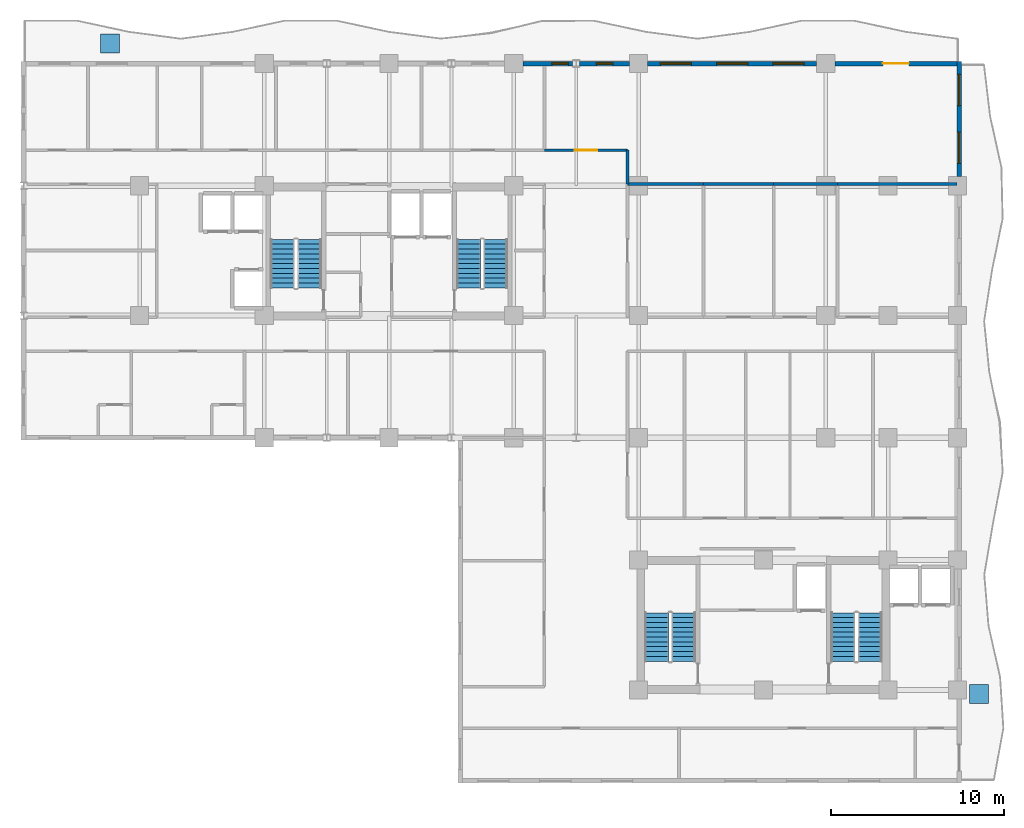
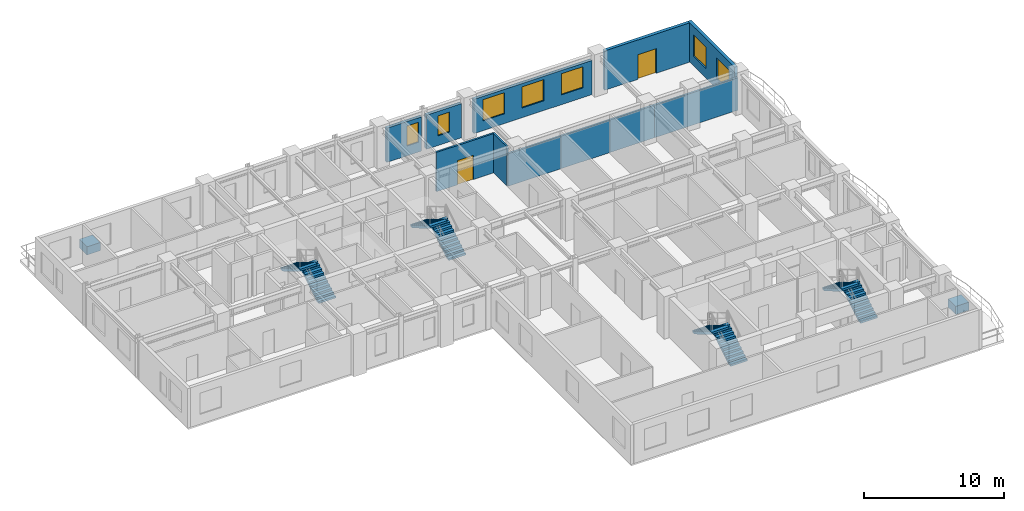
# One storey, part 9 of 12: 11 walls, 8 stair flights, 7 windows, 2 discrete accessories, 2 doors, 9 openings, 4 elements without a shape of their own.
"""IFC4 building model written with IfcOpenShell, lengths in metres."""

from ifc_helpers import new_model, si_unit, direction, frame, frame_2d, origin, origin_2d, place, context, subcontext, project, spatial, polyline, rectangle, outline, extrude, source, transform, mapped, material, layer, layer_set, type_object, element, fill, aggregate, save


model = new_model("IFC4")

# Units and contexts
model_context = context("Model", 3, precision=1e-05, world=origin(), true_north=direction((0.0, 1.0)))
body_context = subcontext(model_context, "Body", "Model", "MODEL_VIEW")
ifc_project = project(units=[si_unit("LENGTHUNIT", "METRE"), si_unit("AREAUNIT", "SQUARE_METRE"), si_unit("VOLUMEUNIT", "CUBIC_METRE"), si_unit("PLANEANGLEUNIT", "RADIAN"), si_unit("MASSUNIT", "GRAM", prefix="KILO")], contexts=[model_context])

# Site, building, storey
site_placement = place(None, origin())
site = spatial("IfcSite", under=ifc_project, at=site_placement, CompositionType="ELEMENT")
building_placement = place(site_placement, origin())
building = spatial("IfcBuilding", under=site, at=building_placement, Name="Kaliganga Portal Commons", CompositionType="ELEMENT")
storey_placement = place(building_placement, frame((0.0, 0.0, 147.60009765625)))
storey = spatial("IfcBuildingStorey", under=building, at=storey_placement, Name="L37", CompositionType="ELEMENT", Elevation=147.60009765625)

# Wall, openings, windows
ifc_material_1 = material(Name="Insulated Aluminium-Clad Spandrel Assembly", Category="aluminium")
ifc_layer_1 = layer(ifc_material_1, 0.260009765625)
ifc_layer_set_1 = layer_set([ifc_layer_1], Name="Insulated Aluminium-Clad Spandrel Assembly")
wall_type_1 = type_object("IfcWallType", Name="WL-EXT-SPAND-260", PredefinedType="STANDARD", material=ifc_layer_set_1)
wall_1_placement = place(storey_placement, frame((54.5, 43.330078125, 0.0), z_axis=(0.0, 0.0, 1.0), x_axis=(0.0, -1.0, 0.0)))
wall_1 = element("IfcWall", 1, at=wall_1_placement, inside=storey, type_object=wall_type_1, Name="Exterior Envelope Wall L37 P1-E01-S6", PredefinedType="STANDARD", context=body_context, shape_type="SweptSolid", body=[
    extrude(rectangle(XDim=6.654052734375, YDim=0.260009765625, at=frame_2d((3.3271484375, 0.0))), origin(), (0.0, 0.0, 1.0), 3.43994140625),
])
opening_1_placement = place(wall_1_placement, frame((0.763427734375, 0.0, 0.85009765625)))
opening_1 = element("IfcOpeningElement", 2, at=opening_1_placement, cuts=wall_1, Name="Opening W-01", PredefinedType="OPENING", context=body_context, shape_type="SweptSolid", body=[
    extrude(rectangle(XDim=1.800048828125, YDim=1.85009765625, at=frame_2d((0.89990234375, 0.925048828125))), frame((0.0, 0.14013671875, 0.0), z_axis=(0.0, -1.0, 0.0), x_axis=(1.0, 0.0, 0.0)), (0.0, 0.0, 1.0), 0.280029296875),
])
opening_2_placement = place(wall_1_placement, frame((4.090576171875, 0.0, 0.85009765625)))
opening_2 = element("IfcOpeningElement", 3, at=opening_2_placement, cuts=wall_1, Name="Opening W-01", PredefinedType="OPENING", context=body_context, shape_type="SweptSolid", body=[
    extrude(rectangle(XDim=1.800048828125, YDim=1.85009765625, at=frame_2d((0.89990234375, 0.925048828125))), frame((0.0, 0.14013671875, 0.0), z_axis=(0.0, -1.0, 0.0), x_axis=(1.0, 0.0, 0.0)), (0.0, 0.0, 1.0), 0.280029296875),
])
ifc_material_2 = material(Name="Thermally Broken Aluminium and Low-E Double Glazing", Category="aluminium")
window_type_1 = type_object("IfcWindowType", Name="WIN-STD-1800", PartitioningType="DOUBLE_PANEL_VERTICAL", PredefinedType="WINDOW", material=ifc_material_2)
window_1_placement = place(opening_1_placement, origin())
window_1 = element("IfcWindow", 4, at=window_1_placement, inside=storey, type_object=window_type_1, Name="Facade Window L37-P1E01S6-00", OverallHeight=1.85009765625, OverallWidth=1.800048828125, PartitioningType="SINGLE_PANEL", PredefinedType="WINDOW", context=body_context, shape_type="SweptSolid", body=[
    extrude(rectangle(XDim=1.800048828125, YDim=1.85009765625, at=frame_2d((0.89990234375, 0.925048828125))), frame((0.0, 0.030029296875, 0.0), z_axis=(0.0, -1.0, 0.0), x_axis=(1.0, 0.0, 0.0)), (0.0, 0.0, 1.0), 0.06005859375),
])
fill(opening_1, window_1)
window_2_placement = place(opening_2_placement, origin())
window_2 = element("IfcWindow", 5, at=window_2_placement, inside=storey, type_object=window_type_1, Name="Facade Window L37-P1E01S6-01", OverallHeight=1.85009765625, OverallWidth=1.800048828125, PartitioningType="SINGLE_PANEL", PredefinedType="WINDOW", context=body_context, shape_type="SweptSolid", body=[
    extrude(rectangle(XDim=1.800048828125, YDim=1.85009765625, at=frame_2d((0.89990234375, 0.925048828125))), frame((0.0, 0.030029296875, 0.0), z_axis=(0.0, -1.0, 0.0), x_axis=(1.0, 0.0, 0.0)), (0.0, 0.0, 1.0), 0.06005859375),
])
fill(opening_2, window_2)

# Wall, opening, door
wall_2_placement = place(storey_placement, frame((47.325927734375, 43.199951171875, 0.0), z_axis=(0.0, 0.0, 1.0), x_axis=(1.0, 0.0, 0.0)))
wall_2 = element("IfcWall", 6, at=wall_2_placement, inside=storey, type_object=wall_type_1, Name="Exterior Envelope Wall L37 P1-E02-S1", PredefinedType="STANDARD", context=body_context, shape_type="SweptSolid", body=[
    extrude(rectangle(XDim=7.0390625, YDim=0.260009765625, at=frame_2d((3.51953125, 0.0))), origin(), (0.0, 0.0, 1.0), 3.43994140625),
])
opening_3_placement = place(wall_2_placement, frame((2.77001953125, 0.0, 0.0)))
opening_3 = element("IfcOpeningElement", 7, at=opening_3_placement, cuts=wall_2, Name="Opening BD-01", PredefinedType="OPENING", context=body_context, shape_type="SweptSolid", body=[
    extrude(rectangle(XDim=1.5, YDim=2.14990234375, at=frame_2d((0.75, 1.074951171875))), frame((0.0, 0.14013671875, 0.0), z_axis=(0.0, -1.0, 0.0), x_axis=(1.0, 0.0, 0.0)), (0.0, 0.0, 1.0), 0.280029296875),
])
ifc_material_3 = material(Name="Anodized Aluminium and Laminated Safety Glass", Category="aluminium")
door_type_1 = type_object("IfcDoorType", Name="DR-BALC-1500", OperationType="SLIDING_TO_LEFT", PredefinedType="DOOR", material=ifc_material_3)
door_1_placement = place(opening_3_placement, origin())
door_1 = element("IfcDoor", 8, at=door_1_placement, inside=storey, type_object=door_type_1, Name="Balcony Sliding Door L37 balc_north", OperationType="SLIDING_TO_LEFT", OverallHeight=2.14990234375, OverallWidth=1.5, PredefinedType="DOOR", context=body_context, shape_type="SweptSolid", body=[
    extrude(rectangle(XDim=1.5, YDim=2.14990234375, at=frame_2d((0.75, 1.074951171875))), frame((0.0, 0.02490234375, 0.0), z_axis=(0.0, -1.0, 0.0), x_axis=(1.0, 0.0, 0.0)), (0.0, 0.0, 1.0), 0.050048828125),
])
fill(opening_3, door_1)

# Wall, openings, windows
wall_3_placement = place(storey_placement, frame((36.52587890625, 43.199951171875, 0.0), z_axis=(0.0, 0.0, 1.0), x_axis=(1.0, 0.0, 0.0)))
wall_3 = element("IfcWall", 9, at=wall_3_placement, inside=storey, type_object=wall_type_1, Name="Exterior Envelope Wall L37 P1-E02-S2", PredefinedType="STANDARD", context=body_context, shape_type="SweptSolid", body=[
    extrude(rectangle(XDim=9.748046875, YDim=0.260009765625, at=frame_2d((4.8740234375, 0.0))), origin(), (0.0, 0.0, 1.0), 2.989990234375),
])
opening_4_placement = place(wall_3_placement, frame((0.724609375, 0.0, 0.85009765625)))
opening_4 = element("IfcOpeningElement", 10, at=opening_4_placement, cuts=wall_3, Name="Opening W-01", PredefinedType="OPENING", context=body_context, shape_type="SweptSolid", body=[
    extrude(rectangle(XDim=1.800048828125, YDim=1.85009765625, at=frame_2d((0.89990234375, 0.925048828125))), frame((0.0, 0.14013671875, 0.0), z_axis=(0.0, -1.0, 0.0), x_axis=(1.0, 0.0, 0.0)), (0.0, 0.0, 1.0), 0.280029296875),
])
opening_5_placement = place(wall_3_placement, frame((3.97412109375, 0.0, 0.85009765625)))
opening_5 = element("IfcOpeningElement", 11, at=opening_5_placement, cuts=wall_3, Name="Opening W-01", PredefinedType="OPENING", context=body_context, shape_type="SweptSolid", body=[
    extrude(rectangle(XDim=1.800048828125, YDim=1.85009765625, at=frame_2d((0.89990234375, 0.925048828125))), frame((0.0, 0.14013671875, 0.0), z_axis=(0.0, -1.0, 0.0), x_axis=(1.0, 0.0, 0.0)), (0.0, 0.0, 1.0), 0.280029296875),
])
opening_6_placement = place(wall_3_placement, frame((7.223388671875, 0.0, 0.85009765625)))
opening_6 = element("IfcOpeningElement", 12, at=opening_6_placement, cuts=wall_3, Name="Opening W-01", PredefinedType="OPENING", context=body_context, shape_type="SweptSolid", body=[
    extrude(rectangle(XDim=1.800048828125, YDim=1.85009765625, at=frame_2d((0.89990234375, 0.925048828125))), frame((0.0, 0.14013671875, 0.0), z_axis=(0.0, -1.0, 0.0), x_axis=(1.0, 0.0, 0.0)), (0.0, 0.0, 1.0), 0.280029296875),
])
window_3_placement = place(opening_4_placement, origin())
window_3 = element("IfcWindow", 13, at=window_3_placement, inside=storey, type_object=window_type_1, Name="Facade Window L37-P1E02S2-00", OverallHeight=1.85009765625, OverallWidth=1.800048828125, PartitioningType="SINGLE_PANEL", PredefinedType="WINDOW", context=body_context, shape_type="SweptSolid", body=[
    extrude(rectangle(XDim=1.800048828125, YDim=1.85009765625, at=frame_2d((0.89990234375, 0.925048828125))), frame((0.0, 0.030029296875, 0.0), z_axis=(0.0, -1.0, 0.0), x_axis=(1.0, 0.0, 0.0)), (0.0, 0.0, 1.0), 0.06005859375),
])
fill(opening_4, window_3)
window_4_placement = place(opening_5_placement, origin())
window_4 = element("IfcWindow", 14, at=window_4_placement, inside=storey, type_object=window_type_1, Name="Facade Window L37-P1E02S2-01", OverallHeight=1.85009765625, OverallWidth=1.800048828125, PartitioningType="SINGLE_PANEL", PredefinedType="WINDOW", context=body_context, shape_type="SweptSolid", body=[
    extrude(rectangle(XDim=1.800048828125, YDim=1.85009765625, at=frame_2d((0.89990234375, 0.925048828125))), frame((0.0, 0.030029296875, 0.0), z_axis=(0.0, -1.0, 0.0), x_axis=(1.0, 0.0, 0.0)), (0.0, 0.0, 1.0), 0.06005859375),
])
fill(opening_5, window_4)
window_5_placement = place(opening_6_placement, origin())
window_5 = element("IfcWindow", 15, at=window_5_placement, inside=storey, type_object=window_type_1, Name="Facade Window L37-P1E02S2-02", OverallHeight=1.85009765625, OverallWidth=1.800048828125, PartitioningType="SINGLE_PANEL", PredefinedType="WINDOW", context=body_context, shape_type="SweptSolid", body=[
    extrude(rectangle(XDim=1.800048828125, YDim=1.85009765625, at=frame_2d((0.89990234375, 0.925048828125))), frame((0.0, 0.030029296875, 0.0), z_axis=(0.0, -1.0, 0.0), x_axis=(1.0, 0.0, 0.0)), (0.0, 0.0, 1.0), 0.06005859375),
])
fill(opening_6, window_5)

# Wall, opening, window
wall_4_placement = place(storey_placement, frame((32.60302734375, 43.199951171875, 0.0), z_axis=(0.0, 0.0, 1.0), x_axis=(1.0, 0.0, 0.0)))
wall_4 = element("IfcWall", 16, at=wall_4_placement, inside=storey, type_object=wall_type_1, Name="Exterior Envelope Wall L37 P1-E02-S3", PredefinedType="STANDARD", context=body_context, shape_type="SweptSolid", body=[
    extrude(rectangle(XDim=2.87109375, YDim=0.260009765625, at=frame_2d((1.435546875, 0.0))), origin(), (0.0, 0.0, 1.0), 2.989990234375),
])
opening_7_placement = place(wall_4_placement, frame((0.96044921875, 0.0, 0.85009765625)))
opening_7 = element("IfcOpeningElement", 17, at=opening_7_placement, cuts=wall_4, Name="Opening W-04", PredefinedType="OPENING", context=body_context, shape_type="SweptSolid", body=[
    extrude(rectangle(XDim=0.949951171875, YDim=1.75, at=frame_2d((0.47509765625, 0.875))), frame((0.0, 0.14013671875, 0.0), z_axis=(0.0, -1.0, 0.0), x_axis=(1.0, 0.0, 0.0)), (0.0, 0.0, 1.0), 0.280029296875),
])
window_type_2 = type_object("IfcWindowType", Name="WIN-NARROW-950", PartitioningType="SINGLE_PANEL", PredefinedType="WINDOW", material=ifc_material_2)
window_6_placement = place(opening_7_placement, origin())
window_6 = element("IfcWindow", 18, at=window_6_placement, inside=storey, type_object=window_type_2, Name="Facade Window L37-P1E02S3-00", OverallHeight=1.75, OverallWidth=0.949951171875, PartitioningType="SINGLE_PANEL", PredefinedType="WINDOW", context=body_context, shape_type="SweptSolid", body=[
    extrude(rectangle(XDim=0.949951171875, YDim=1.75, at=frame_2d((0.47509765625, 0.875))), frame((0.0, 0.030029296875, 0.0), z_axis=(0.0, -1.0, 0.0), x_axis=(1.0, 0.0, 0.0)), (0.0, 0.0, 1.0), 0.06005859375),
])
fill(opening_7, window_6)

wall_5_placement = place(storey_placement, frame((29.325927734375, 43.199951171875, 0.0), z_axis=(0.0, 0.0, 1.0), x_axis=(1.0, 0.0, 0.0)))
wall_5 = element("IfcWall", 19, at=wall_5_placement, inside=storey, type_object=wall_type_1, Name="Exterior Envelope Wall L37 P1-E02-S4", PredefinedType="STANDARD", context=body_context, shape_type="SweptSolid", body=[
    extrude(rectangle(XDim=2.87109375, YDim=0.260009765625, at=frame_2d((1.435546875, 0.0))), origin(), (0.0, 0.0, 1.0), 2.989990234375),
])
opening_8_placement = place(wall_5_placement, frame((1.672607421875, 0.0, 0.85009765625)))
opening_8 = element("IfcOpeningElement", 20, at=opening_8_placement, cuts=wall_5, Name="Opening W-04", PredefinedType="OPENING", context=body_context, shape_type="SweptSolid", body=[
    extrude(rectangle(XDim=0.949951171875, YDim=1.75, at=frame_2d((0.47509765625, 0.875))), frame((0.0, 0.14013671875, 0.0), z_axis=(0.0, -1.0, 0.0), x_axis=(1.0, 0.0, 0.0)), (0.0, 0.0, 1.0), 0.280029296875),
])
window_7_placement = place(opening_8_placement, origin())
window_7 = element("IfcWindow", 21, at=window_7_placement, inside=storey, type_object=window_type_2, Name="Facade Window L37-P1E02S4-N2", OverallHeight=1.75, OverallWidth=0.949951171875, PartitioningType="SINGLE_PANEL", PredefinedType="WINDOW", context=body_context, shape_type="SweptSolid", body=[
    extrude(rectangle(XDim=0.949951171875, YDim=1.75, at=frame_2d((0.47509765625, 0.875))), frame((0.0, 0.030029296875, 0.0), z_axis=(0.0, -1.0, 0.0), x_axis=(1.0, 0.0, 0.0)), (0.0, 0.0, 1.0), 0.06005859375),
])
fill(opening_8, window_7)

# Wall, opening, door
ifc_material_4 = material(Name="Fire-Rated Gypsum Board on Steel Stud", Category="steel")
ifc_layer_2 = layer(ifc_material_4, 0.14990234375)
ifc_layer_set_2 = layer_set([ifc_layer_2], Name="Fire-Rated Gypsum Board on Steel Stud")
wall_type_2 = type_object("IfcWallType", Name="WL-PART-CORR-150", PredefinedType="PARTITIONING", material=ifc_layer_set_2)
wall_6_placement = place(storey_placement, frame((30.56005859375, 38.199951171875, 0.0), z_axis=(0.0, 0.0, 1.0), x_axis=(1.0, 0.0, 0.0)))
wall_6 = element("IfcWall", 22, at=wall_6_placement, inside=storey, type_object=wall_type_2, Name="Interior Partition L37-031", PredefinedType="PARTITIONING", context=body_context, shape_type="SweptSolid", body=[
    extrude(rectangle(XDim=4.800048828125, YDim=0.14990234375, at=frame_2d((2.39990234375, 0.0))), origin(), (0.0, 0.0, 1.0), 3.43994140625),
])
opening_9_placement = place(wall_6_placement, frame((1.75, 0.0, 0.0)))
opening_9 = element("IfcOpeningElement", 23, at=opening_9_placement, cuts=wall_6, Name="Opening RD-03", PredefinedType="OPENING", context=body_context, shape_type="SweptSolid", body=[
    extrude(rectangle(XDim=1.300048828125, YDim=2.1201171875, at=frame_2d((0.64990234375, 1.06005859375))), frame((0.0, 0.0849609375, 0.0), z_axis=(0.0, -1.0, 0.0), x_axis=(1.0, 0.0, 0.0)), (0.0, 0.0, 1.0), 0.169921875),
])
ifc_material_5 = material(Name="Glazed Timber Seminar Vision Door", Category="wood")
door_type_2 = type_object("IfcDoorType", Name="DR-STUDY-1300", OperationType="DOUBLE_DOOR_SINGLE_SWING", PredefinedType="DOOR", material=ifc_material_5)
door_2_placement = place(opening_9_placement, origin())
door_2 = element("IfcDoor", 24, at=door_2_placement, inside=storey, type_object=door_type_2, Name="Interior Door L37-ANE01", OperationType="DOUBLE_DOOR_SINGLE_SWING", OverallHeight=2.1201171875, OverallWidth=1.300048828125, PredefinedType="DOOR", context=body_context, shape_type="SweptSolid", body=[
    extrude(rectangle(XDim=1.300048828125, YDim=2.1201171875, at=frame_2d((0.64990234375, 1.06005859375))), frame((0.0, 0.02490234375, 0.0), z_axis=(0.0, -1.0, 0.0), x_axis=(1.0, 0.0, 0.0)), (0.0, 0.0, 1.0), 0.050048828125),
])
fill(opening_9, door_2)

# Walls
wall_7_placement = place(storey_placement, frame((35.360107421875, 36.239990234375, 0.0), z_axis=(0.0, 0.0, 1.0), x_axis=(0.0, 1.0, 0.0)))
element("IfcWall", 25, at=wall_7_placement, inside=storey, type_object=wall_type_2, Name="Interior Partition L37-057", PredefinedType="PARTITIONING", context=body_context, shape_type="SweptSolid", body=[
    extrude(rectangle(XDim=1.9599609375, YDim=0.14990234375, at=frame_2d((0.97998046875, 0.0))), origin(), (0.0, 0.0, 1.0), 3.43994140625),
])
ifc_material_6 = material(Name="Twin-Stud Acoustic Gypsum Partition", Category="gypsum")
ifc_layer_3 = layer(ifc_material_6, 0.1650390625)
ifc_layer_set_3 = layer_set([ifc_layer_3], Name="Twin-Stud Acoustic Gypsum Partition")
wall_type_3 = type_object("IfcWallType", Name="WL-PART-UNIT-165", PredefinedType="PARTITIONING", material=ifc_layer_set_3)
wall_8_placement = place(storey_placement, frame((47.47998046875, 36.239990234375, 0.0), z_axis=(0.0, 0.0, 1.0), x_axis=(1.0, 0.0, 0.0)))
element("IfcWall", 26, at=wall_8_placement, inside=storey, type_object=wall_type_3, Name="Interior Partition L37-069", PredefinedType="PARTITIONING", context=body_context, shape_type="SweptSolid", body=[
    extrude(rectangle(XDim=6.887939453125, YDim=0.1650390625, at=frame_2d((3.44384765625, 0.0))), origin(), (0.0, 0.0, 1.0), 2.83984375),
])
wall_9_placement = place(storey_placement, frame((35.360107421875, 36.239990234375, 0.0), z_axis=(0.0, 0.0, 1.0), x_axis=(1.0, 0.0, 0.0)))
element("IfcWall", 27, at=wall_9_placement, inside=storey, type_object=wall_type_3, Name="Interior Partition L37-080", PredefinedType="PARTITIONING", context=body_context, shape_type="SweptSolid", body=[
    extrude(rectangle(XDim=4.3798828125, YDim=0.1650390625, at=frame_2d((2.18994140625, 0.0))), origin(), (0.0, 0.0, 1.0), 2.83984375),
])
wall_10_placement = place(storey_placement, frame((39.739990234375, 36.239990234375, 0.0), z_axis=(0.0, 0.0, 1.0), x_axis=(1.0, 0.0, 0.0)))
element("IfcWall", 28, at=wall_10_placement, inside=storey, type_object=wall_type_3, Name="Interior Partition L37-081", PredefinedType="PARTITIONING", context=body_context, shape_type="SweptSolid", body=[
    extrude(rectangle(XDim=4.06005859375, YDim=0.1650390625, at=frame_2d((2.030029296875, 0.0))), origin(), (0.0, 0.0, 1.0), 2.83984375),
])
wall_11_placement = place(storey_placement, frame((43.800048828125, 36.239990234375, 0.0), z_axis=(0.0, 0.0, 1.0), x_axis=(1.0, 0.0, 0.0)))
element("IfcWall", 29, at=wall_11_placement, inside=storey, type_object=wall_type_3, Name="Interior Partition L37-082", PredefinedType="PARTITIONING", context=body_context, shape_type="SweptSolid", body=[
    extrude(rectangle(XDim=3.679931640625, YDim=0.1650390625, at=frame_2d((1.83984375, 0.0))), origin(), (0.0, 0.0, 1.0), 2.83984375),
])

# Stair, stair flights
ifc_material_7 = material(Name="Concrete C40/50", Category="concrete")
stair_type = type_object("IfcStairType", Name="ST-CORE-DOGLEG", PredefinedType="HALF_TURN_STAIR", material=ifc_material_7)
stair_1_placement = place(storey_placement, origin())
stair_1 = element("IfcStair", 30, at=stair_1_placement, inside=storey, type_object=stair_type, Name="L37 Protected Exit Stair ST-A1", PredefinedType="HALF_TURN_STAIR")
stair_flight_type = type_object("IfcStairFlightType", Name="STF-RC-1400", PredefinedType="STRAIGHT", material=ifc_material_7)
stair_flight_1_placement = place(storey_placement, frame((17.0, 30.25, 0.0), z_axis=(0.0, 0.0, 1.0), x_axis=(0.0, 1.0, 0.0)))
stair_flight_1 = element("IfcStairFlight", 31, at=stair_flight_1_placement, type_object=stair_flight_type, Name="ST-A1 flight 1", NumberOfRisers=11, NumberOfTreads=10, PredefinedType="STRAIGHT", RiserHeight=0.168181818, TreadLength=0.28, context=body_context, shape_type="SweptSolid", body=[
    extrude(outline(polyline([(0.0, 0.0), (0.0, 0.168212890625), (0.280029296875, 0.168212890625), (0.280029296875, 0.33642578125), (0.56005859375, 0.33642578125), (0.56005859375, 0.504638671875), (0.840087890625, 0.504638671875), (0.840087890625, 0.672607421875), (1.1201171875, 0.672607421875), (1.1201171875, 0.8408203125), (1.39990234375, 0.8408203125), (1.39990234375, 1.009033203125), (1.679931640625, 1.009033203125), (1.679931640625, 1.17724609375), (1.9599609375, 1.17724609375), (1.9599609375, 1.345458984375), (2.239990234375, 1.345458984375), (2.239990234375, 1.513671875), (2.52001953125, 1.513671875), (2.52001953125, 1.681884765625), (2.800048828125, 1.681884765625), (2.800048828125, 1.85009765625), (2.800048828125, 1.5068359375), (0.291015625, 0.0), (0.0, 0.0)])), frame((0.0, 0.699951171875, 0.0), z_axis=(0.0, -1.0, 0.0), x_axis=(1.0, 0.0, 0.0)), (0.0, 0.0, 1.0), 1.39990234375),
])
stair_flight_2_placement = place(storey_placement, frame((15.449951171875, 33.050048828125, 1.849853515625), z_axis=(0.0, 0.0, 1.0), x_axis=(0.0, -1.0, 0.0)))
stair_flight_2 = element("IfcStairFlight", 32, at=stair_flight_2_placement, type_object=stair_flight_type, Name="ST-A1 flight 2", NumberOfRisers=11, NumberOfTreads=10, PredefinedType="STRAIGHT", RiserHeight=0.168181818, TreadLength=0.28, context=body_context, shape_type="SweptSolid", body=[
    extrude(outline(polyline([(0.0, 0.0), (0.0, 0.168212890625), (0.280029296875, 0.168212890625), (0.280029296875, 0.33642578125), (0.56005859375, 0.33642578125), (0.56005859375, 0.504638671875), (0.840087890625, 0.504638671875), (0.840087890625, 0.672607421875), (1.1201171875, 0.672607421875), (1.1201171875, 0.8408203125), (1.39990234375, 0.8408203125), (1.39990234375, 1.009033203125), (1.679931640625, 1.009033203125), (1.679931640625, 1.17724609375), (1.9599609375, 1.17724609375), (1.9599609375, 1.345458984375), (2.239990234375, 1.345458984375), (2.239990234375, 1.513671875), (2.52001953125, 1.513671875), (2.52001953125, 1.681884765625), (2.800048828125, 1.681884765625), (2.800048828125, 1.85009765625), (2.800048828125, 1.5068359375), (0.291015625, 0.0), (0.0, 0.0)])), frame((0.0, 0.699951171875, 0.0), z_axis=(0.0, -1.0, 0.0), x_axis=(1.0, 0.0, 0.0)), (0.0, 0.0, 1.0), 1.39990234375),
])
aggregate(stair_1, [stair_flight_1, stair_flight_2])

stair_2_placement = place(storey_placement, origin())
stair_2 = element("IfcStair", 33, at=stair_2_placement, inside=storey, type_object=stair_type, Name="L37 Protected Exit Stair ST-A2", PredefinedType="HALF_TURN_STAIR")
stair_flight_3_placement = place(storey_placement, frame((27.75, 30.25, 0.0), z_axis=(0.0, 0.0, 1.0), x_axis=(0.0, 1.0, 0.0)))
stair_flight_3 = element("IfcStairFlight", 34, at=stair_flight_3_placement, type_object=stair_flight_type, Name="ST-A2 flight 1", NumberOfRisers=11, NumberOfTreads=10, PredefinedType="STRAIGHT", RiserHeight=0.168181818, TreadLength=0.28, context=body_context, shape_type="SweptSolid", body=[
    extrude(outline(polyline([(0.0, 0.0), (0.0, 0.168212890625), (0.280029296875, 0.168212890625), (0.280029296875, 0.33642578125), (0.56005859375, 0.33642578125), (0.56005859375, 0.504638671875), (0.840087890625, 0.504638671875), (0.840087890625, 0.672607421875), (1.1201171875, 0.672607421875), (1.1201171875, 0.8408203125), (1.39990234375, 0.8408203125), (1.39990234375, 1.009033203125), (1.679931640625, 1.009033203125), (1.679931640625, 1.17724609375), (1.9599609375, 1.17724609375), (1.9599609375, 1.345458984375), (2.239990234375, 1.345458984375), (2.239990234375, 1.513671875), (2.52001953125, 1.513671875), (2.52001953125, 1.681884765625), (2.800048828125, 1.681884765625), (2.800048828125, 1.85009765625), (2.800048828125, 1.5068359375), (0.291015625, 0.0), (0.0, 0.0)])), frame((0.0, 0.699951171875, 0.0), z_axis=(0.0, -1.0, 0.0), x_axis=(1.0, 0.0, 0.0)), (0.0, 0.0, 1.0), 1.39990234375),
])
stair_flight_4_placement = place(storey_placement, frame((26.199951171875, 33.050048828125, 1.849853515625), z_axis=(0.0, 0.0, 1.0), x_axis=(0.0, -1.0, 0.0)))
stair_flight_4 = element("IfcStairFlight", 35, at=stair_flight_4_placement, type_object=stair_flight_type, Name="ST-A2 flight 2", NumberOfRisers=11, NumberOfTreads=10, PredefinedType="STRAIGHT", RiserHeight=0.168181818, TreadLength=0.28, context=body_context, shape_type="SweptSolid", body=[
    extrude(outline(polyline([(0.0, 0.0), (0.0, 0.168212890625), (0.280029296875, 0.168212890625), (0.280029296875, 0.33642578125), (0.56005859375, 0.33642578125), (0.56005859375, 0.504638671875), (0.840087890625, 0.504638671875), (0.840087890625, 0.672607421875), (1.1201171875, 0.672607421875), (1.1201171875, 0.8408203125), (1.39990234375, 0.8408203125), (1.39990234375, 1.009033203125), (1.679931640625, 1.009033203125), (1.679931640625, 1.17724609375), (1.9599609375, 1.17724609375), (1.9599609375, 1.345458984375), (2.239990234375, 1.345458984375), (2.239990234375, 1.513671875), (2.52001953125, 1.513671875), (2.52001953125, 1.681884765625), (2.800048828125, 1.681884765625), (2.800048828125, 1.85009765625), (2.800048828125, 1.5068359375), (0.291015625, 0.0), (0.0, 0.0)])), frame((0.0, 0.699951171875, 0.0), z_axis=(0.0, -1.0, 0.0), x_axis=(1.0, 0.0, 0.0)), (0.0, 0.0, 1.0), 1.39990234375),
])
aggregate(stair_2, [stair_flight_3, stair_flight_4])

stair_3_placement = place(storey_placement, origin())
stair_3 = element("IfcStair", 36, at=stair_3_placement, inside=storey, type_object=stair_type, Name="L37 Protected Exit Stair ST-B1", PredefinedType="HALF_TURN_STAIR")
stair_flight_5_placement = place(storey_placement, frame((38.60009765625, 8.699951171875, 0.0), z_axis=(0.0, 0.0, 1.0), x_axis=(0.0, 1.0, 0.0)))
stair_flight_5 = element("IfcStairFlight", 37, at=stair_flight_5_placement, type_object=stair_flight_type, Name="ST-B1 flight 1", NumberOfRisers=11, NumberOfTreads=10, PredefinedType="STRAIGHT", RiserHeight=0.168181818, TreadLength=0.28, context=body_context, shape_type="SweptSolid", body=[
    extrude(outline(polyline([(0.0, 0.0), (0.0, 0.168212890625), (0.280029296875, 0.168212890625), (0.280029296875, 0.33642578125), (0.56005859375, 0.33642578125), (0.56005859375, 0.504638671875), (0.840087890625, 0.504638671875), (0.840087890625, 0.672607421875), (1.1201171875, 0.672607421875), (1.1201171875, 0.8408203125), (1.39990234375, 0.8408203125), (1.39990234375, 1.009033203125), (1.679931640625, 1.009033203125), (1.679931640625, 1.17724609375), (1.9599609375, 1.17724609375), (1.9599609375, 1.345458984375), (2.239990234375, 1.345458984375), (2.239990234375, 1.513671875), (2.52001953125, 1.513671875), (2.52001953125, 1.681884765625), (2.800048828125, 1.681884765625), (2.800048828125, 1.85009765625), (2.800048828125, 1.5068359375), (0.291015625, 0.0), (0.0, 0.0)])), frame((0.0, 0.699951171875, 0.0), z_axis=(0.0, -1.0, 0.0), x_axis=(1.0, 0.0, 0.0)), (0.0, 0.0, 1.0), 1.39990234375),
])
stair_flight_6_placement = place(storey_placement, frame((37.050048828125, 11.5, 1.849853515625), z_axis=(0.0, 0.0, 1.0), x_axis=(0.0, -1.0, 0.0)))
stair_flight_6 = element("IfcStairFlight", 38, at=stair_flight_6_placement, type_object=stair_flight_type, Name="ST-B1 flight 2", NumberOfRisers=11, NumberOfTreads=10, PredefinedType="STRAIGHT", RiserHeight=0.168181818, TreadLength=0.28, context=body_context, shape_type="SweptSolid", body=[
    extrude(outline(polyline([(0.0, 0.0), (0.0, 0.168212890625), (0.280029296875, 0.168212890625), (0.280029296875, 0.33642578125), (0.56005859375, 0.33642578125), (0.56005859375, 0.504638671875), (0.840087890625, 0.504638671875), (0.840087890625, 0.672607421875), (1.1201171875, 0.672607421875), (1.1201171875, 0.8408203125), (1.39990234375, 0.8408203125), (1.39990234375, 1.009033203125), (1.679931640625, 1.009033203125), (1.679931640625, 1.17724609375), (1.9599609375, 1.17724609375), (1.9599609375, 1.345458984375), (2.239990234375, 1.345458984375), (2.239990234375, 1.513671875), (2.52001953125, 1.513671875), (2.52001953125, 1.681884765625), (2.800048828125, 1.681884765625), (2.800048828125, 1.85009765625), (2.800048828125, 1.5068359375), (0.291015625, 0.0), (0.0, 0.0)])), frame((0.0, 0.699951171875, 0.0), z_axis=(0.0, -1.0, 0.0), x_axis=(1.0, 0.0, 0.0)), (0.0, 0.0, 1.0), 1.39990234375),
])
aggregate(stair_3, [stair_flight_5, stair_flight_6])

stair_4_placement = place(storey_placement, origin())
stair_4 = element("IfcStair", 39, at=stair_4_placement, inside=storey, type_object=stair_type, Name="L37 Protected Exit Stair ST-B2", PredefinedType="HALF_TURN_STAIR")
stair_flight_7_placement = place(storey_placement, frame((49.35009765625, 8.699951171875, 0.0), z_axis=(0.0, 0.0, 1.0), x_axis=(0.0, 1.0, 0.0)))
stair_flight_7 = element("IfcStairFlight", 40, at=stair_flight_7_placement, type_object=stair_flight_type, Name="ST-B2 flight 1", NumberOfRisers=11, NumberOfTreads=10, PredefinedType="STRAIGHT", RiserHeight=0.168181818, TreadLength=0.28, context=body_context, shape_type="SweptSolid", body=[
    extrude(outline(polyline([(0.0, 0.0), (0.0, 0.168212890625), (0.280029296875, 0.168212890625), (0.280029296875, 0.33642578125), (0.56005859375, 0.33642578125), (0.56005859375, 0.504638671875), (0.840087890625, 0.504638671875), (0.840087890625, 0.672607421875), (1.1201171875, 0.672607421875), (1.1201171875, 0.8408203125), (1.39990234375, 0.8408203125), (1.39990234375, 1.009033203125), (1.679931640625, 1.009033203125), (1.679931640625, 1.17724609375), (1.9599609375, 1.17724609375), (1.9599609375, 1.345458984375), (2.239990234375, 1.345458984375), (2.239990234375, 1.513671875), (2.52001953125, 1.513671875), (2.52001953125, 1.681884765625), (2.800048828125, 1.681884765625), (2.800048828125, 1.85009765625), (2.800048828125, 1.5068359375), (0.291015625, 0.0), (0.0, 0.0)])), frame((0.0, 0.699951171875, 0.0), z_axis=(0.0, -1.0, 0.0), x_axis=(1.0, 0.0, 0.0)), (0.0, 0.0, 1.0), 1.39990234375),
])
stair_flight_8_placement = place(storey_placement, frame((47.800048828125, 11.5, 1.849853515625), z_axis=(0.0, 0.0, 1.0), x_axis=(0.0, -1.0, 0.0)))
stair_flight_8 = element("IfcStairFlight", 41, at=stair_flight_8_placement, type_object=stair_flight_type, Name="ST-B2 flight 2", NumberOfRisers=11, NumberOfTreads=10, PredefinedType="STRAIGHT", RiserHeight=0.168181818, TreadLength=0.28, context=body_context, shape_type="SweptSolid", body=[
    extrude(outline(polyline([(0.0, 0.0), (0.0, 0.168212890625), (0.280029296875, 0.168212890625), (0.280029296875, 0.33642578125), (0.56005859375, 0.33642578125), (0.56005859375, 0.504638671875), (0.840087890625, 0.504638671875), (0.840087890625, 0.672607421875), (1.1201171875, 0.672607421875), (1.1201171875, 0.8408203125), (1.39990234375, 0.8408203125), (1.39990234375, 1.009033203125), (1.679931640625, 1.009033203125), (1.679931640625, 1.17724609375), (1.9599609375, 1.17724609375), (1.9599609375, 1.345458984375), (2.239990234375, 1.345458984375), (2.239990234375, 1.513671875), (2.52001953125, 1.513671875), (2.52001953125, 1.681884765625), (2.800048828125, 1.681884765625), (2.800048828125, 1.85009765625), (2.800048828125, 1.5068359375), (0.291015625, 0.0), (0.0, 0.0)])), frame((0.0, 0.699951171875, 0.0), z_axis=(0.0, -1.0, 0.0), x_axis=(1.0, 0.0, 0.0)), (0.0, 0.0, 1.0), 1.39990234375),
])
aggregate(stair_4, [stair_flight_7, stair_flight_8])

# Discrete accessories
ifc_material_8 = material(Name="Precast concrete C40/50", Category="concrete")
discrete_accessory_type = type_object("IfcDiscreteAccessoryType", Name="DAC-PLANTER-RC", PredefinedType="USERDEFINED", material=ifc_material_8)
shared_shape = source(origin(), body_context, "Body", "SweptSolid", [
    extrude(rectangle(XDim=1.10009765625, YDim=1.10009765625, at=origin_2d()), origin(), (0.0, 0.0, 1.0), 0.719970703125),
])
for number, where, z_axis, x_axis, name in (
    (42, (5.5, 44.35009765625, 0.0), (0.0, 0.0, 1.0), (1.0, 0.0, 0.0), "Structural Tree Planter L37 balc_north"),
    (43, (55.64990234375, 6.800048828125, 0.0), (0.0, 0.0, 1.0), (1.0, 0.0, 0.0), "Structural Tree Planter L37 balc_east"),
):
    element("IfcDiscreteAccessory", number, at=place(storey_placement, frame(where, z_axis=z_axis, x_axis=x_axis)), inside=storey, type_object=discrete_accessory_type, Name=name, ObjectType="PLANTER", PredefinedType="USERDEFINED", context=body_context, shape_type="MappedRepresentation", body=[
        mapped(shared_shape, transform((0.0, 0.0, 0.0), x_axis=(1.0, 0.0, 0.0), y_axis=(0.0, 1.0, 0.0), z_axis=(0.0, 0.0, 1.0), scale=1.0)),
    ])

save(model, "model.ifc")
